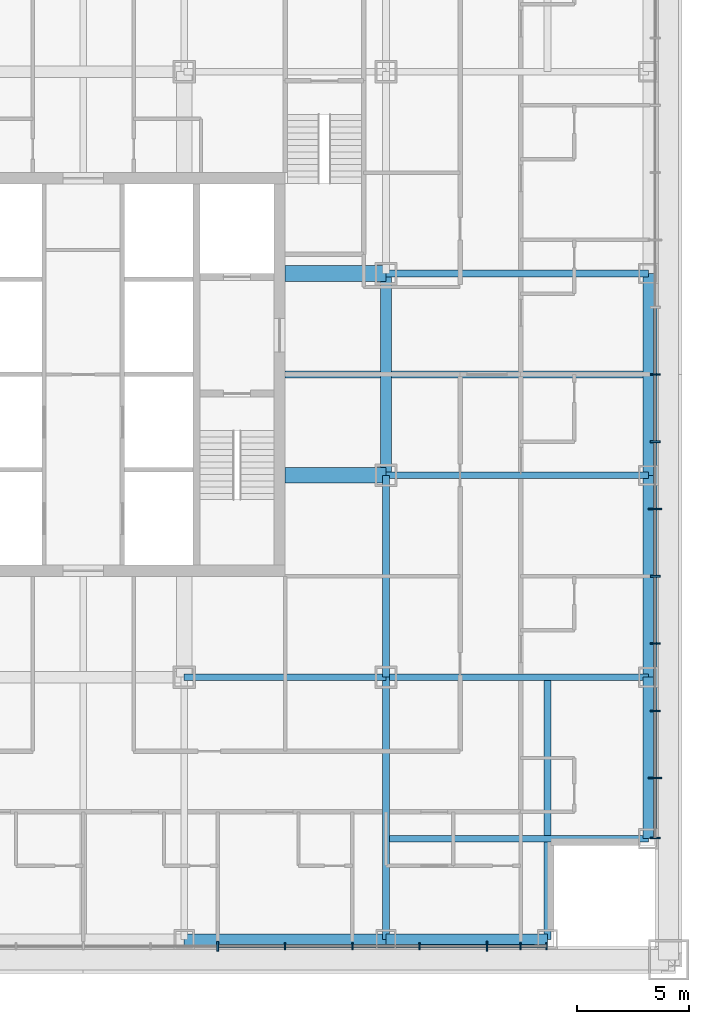
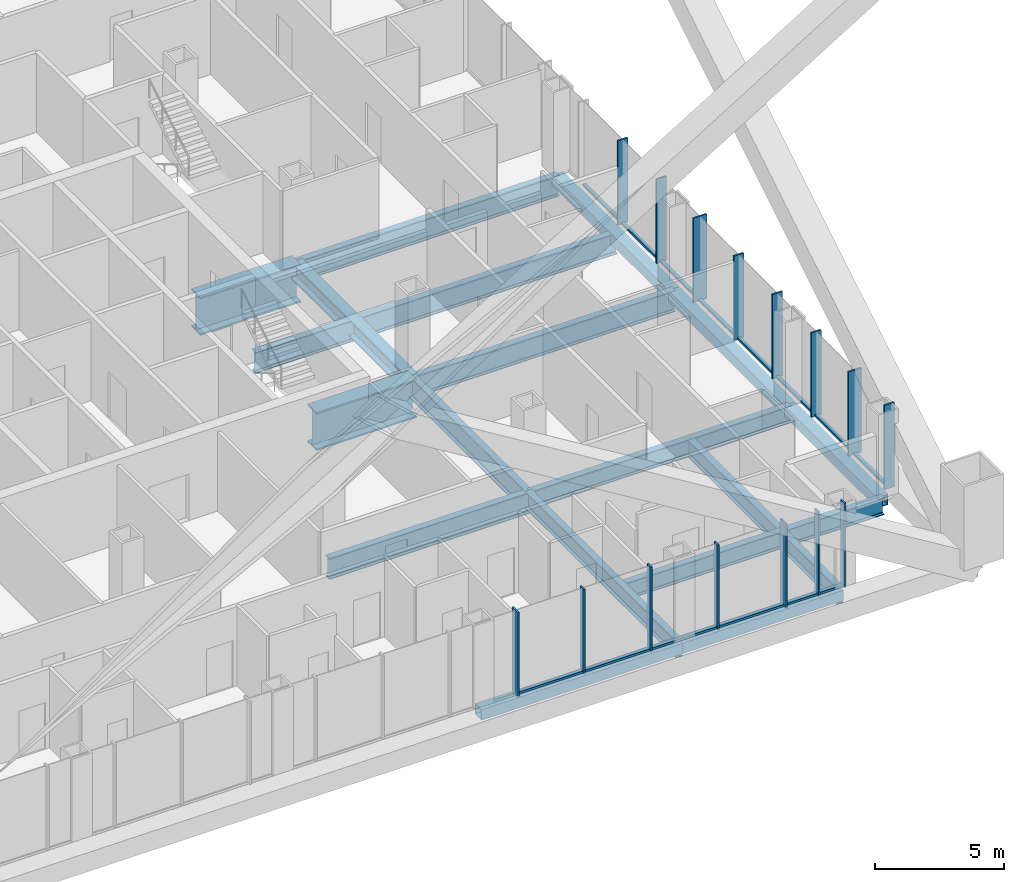
# One storey, part 6 of 21: 29 members, 17 beams, 2 elements without a shape of their own.
"""IFC4 building model written with IfcOpenShell, lengths in metres."""

from ifc_helpers import new_model, si_unit, direction, frame, origin, origin_2d, place, context, subcontext, project, spatial, rectangle, hollow_rectangle, i_section, extrude, material, layer, layer_set, material_profile, profile_set, type_object, element, aggregate, save


model = new_model("IFC4")

# Units and contexts
model_context = context("Model", 3, precision=1e-05, world=origin(), true_north=direction((0.0, 1.0)))
body_context = subcontext(model_context, "Body", "Model", "MODEL_VIEW")
ifc_project = project(units=[si_unit("LENGTHUNIT", "METRE"), si_unit("AREAUNIT", "SQUARE_METRE"), si_unit("VOLUMEUNIT", "CUBIC_METRE"), si_unit("PLANEANGLEUNIT", "RADIAN"), si_unit("MASSUNIT", "GRAM", prefix="KILO")], contexts=[model_context])

# Site, building, storey
site_placement = place(None, origin())
site = spatial("IfcSite", under=ifc_project, at=site_placement, CompositionType="ELEMENT")
building_placement = place(site_placement, origin())
building = spatial("IfcBuilding", under=site, at=building_placement, Name="Malebo Sky Hospital", CompositionType="ELEMENT")
storey_placement = place(building_placement, frame((0.0, 0.0, 31.0)))
storey = spatial("IfcBuildingStorey", under=building, at=storey_placement, Name="L06", CompositionType="ELEMENT", Elevation=31.0)

# Curtain wall, members
ifc_material_1 = material(Name="Anodised aluminium, natural silver", Category="aluminium")
ifc_layer_1 = layer(ifc_material_1, 0.25)
ifc_layer_set_1 = layer_set([ifc_layer_1], Name="WARD CURTAIN WALL NORTH AND SOUTH")
curtain_wall_type_1 = type_object("IfcCurtainWallType", Name="WARD CURTAIN WALL NORTH AND SOUTH", PredefinedType="NOTDEFINED", material=ifc_layer_set_1)
curtain_wall_1_placement = place(storey_placement, origin())
curtain_wall_1 = element("IfcCurtainWall", 1, at=curtain_wall_1_placement, inside=storey, type_object=curtain_wall_type_1, Name="NS curtain wall S", PredefinedType="NOTDEFINED")
ifc_material_profile_1 = material_profile(ifc_material_1, rectangle(XDim=0.14990234375, YDim=0.10009765625, at=origin_2d()), Name="ALUMINIUM TRANSOM 150x100")
ifc_profile_set_1 = profile_set([ifc_material_profile_1], Name="Anodised aluminium, natural silver")
member_type_1 = type_object("IfcMemberType", Name="ALUMINIUM TRANSOM 150x100", PredefinedType="USERDEFINED", material=ifc_profile_set_1)
member_1_placement = place(storey_placement, frame((80.625, 36.5, 0.050048828125), z_axis=(-1.0, 0.0, 0.0), x_axis=(0.0, -1.0, 0.0)))
member_1 = element("IfcMember", 2, at=member_1_placement, type_object=member_type_1, Name="Transom 1", ObjectType="TRANSOM", PredefinedType="USERDEFINED", context=body_context, shape_type="SweptSolid", body=[
    extrude(rectangle(XDim=0.14990234375, YDim=0.10009765625, at=origin_2d()), origin(), (0.0, 0.0, 1.0), 1.08740234375),
])
member_2_placement = place(storey_placement, frame((79.46240234375, 36.5, 0.050048828125), z_axis=(-1.0, 0.0, 0.0), x_axis=(0.0, -1.0, 0.0)))
member_2 = element("IfcMember", 3, at=member_2_placement, type_object=member_type_1, Name="Transom 2", ObjectType="TRANSOM", PredefinedType="USERDEFINED", context=body_context, shape_type="SweptSolid", body=[
    extrude(rectangle(XDim=0.14990234375, YDim=0.10009765625, at=origin_2d()), origin(), (0.0, 0.0, 1.0), 1.4248046875),
])
member_3_placement = place(storey_placement, frame((77.96240234375, 36.5, 0.050048828125), z_axis=(-1.0, 0.0, 0.0), x_axis=(0.0, -1.0, 0.0)))
member_3 = element("IfcMember", 4, at=member_3_placement, type_object=member_type_1, Name="Transom 3", ObjectType="TRANSOM", PredefinedType="USERDEFINED", context=body_context, shape_type="SweptSolid", body=[
    extrude(rectangle(XDim=0.14990234375, YDim=0.10009765625, at=origin_2d()), origin(), (0.0, 0.0, 1.0), 2.9248046875),
])
member_4_placement = place(storey_placement, frame((74.96240234375, 36.5, 0.050048828125), z_axis=(-1.0, 0.0, 0.0), x_axis=(0.0, -1.0, 0.0)))
member_4 = element("IfcMember", 5, at=member_4_placement, type_object=member_type_1, Name="Transom 4", ObjectType="TRANSOM", PredefinedType="USERDEFINED", context=body_context, shape_type="SweptSolid", body=[
    extrude(rectangle(XDim=0.14990234375, YDim=0.10009765625, at=origin_2d()), origin(), (0.0, 0.0, 1.0), 2.9248046875),
])
member_5_placement = place(storey_placement, frame((71.96240234375, 36.5, 0.050048828125), z_axis=(-1.0, 0.0, 0.0), x_axis=(0.0, -1.0, 0.0)))
member_5 = element("IfcMember", 6, at=member_5_placement, type_object=member_type_1, Name="Transom 5", ObjectType="TRANSOM", PredefinedType="USERDEFINED", context=body_context, shape_type="SweptSolid", body=[
    extrude(rectangle(XDim=0.14990234375, YDim=0.10009765625, at=origin_2d()), origin(), (0.0, 0.0, 1.0), 2.9248046875),
])
member_6_placement = place(storey_placement, frame((68.96240234375, 36.5, 0.050048828125), z_axis=(-1.0, 0.0, 0.0), x_axis=(0.0, -1.0, 0.0)))
member_6 = element("IfcMember", 7, at=member_6_placement, type_object=member_type_1, Name="Transom 6", ObjectType="TRANSOM", PredefinedType="USERDEFINED", context=body_context, shape_type="SweptSolid", body=[
    extrude(rectangle(XDim=0.14990234375, YDim=0.10009765625, at=origin_2d()), origin(), (0.0, 0.0, 1.0), 2.9248046875),
])

ifc_layer_2 = layer(ifc_material_1, 0.25)
ifc_layer_set_2 = layer_set([ifc_layer_2], Name="WARD CURTAIN WALL EAST AND WEST")
curtain_wall_type_2 = type_object("IfcCurtainWallType", Name="WARD CURTAIN WALL EAST AND WEST", PredefinedType="NOTDEFINED", material=ifc_layer_set_2)
curtain_wall_2_placement = place(storey_placement, origin())
curtain_wall_2 = element("IfcCurtainWall", 8, at=curtain_wall_2_placement, inside=storey, type_object=curtain_wall_type_2, Name="EW curtain wall E", PredefinedType="NOTDEFINED")
member_7_placement = place(storey_placement, frame((85.5, 64.96240234375, 0.050048828125), z_axis=(0.0, -1.0, 0.0), x_axis=(1.0, 0.0, 0.0)))
member_7 = element("IfcMember", 9, at=member_7_placement, type_object=member_type_1, Name="Transom 8", ObjectType="TRANSOM", PredefinedType="USERDEFINED", context=body_context, shape_type="SweptSolid", body=[
    extrude(rectangle(XDim=0.14990234375, YDim=0.10009765625, at=origin_2d()), origin(), (0.0, 0.0, 1.0), 2.9248046875),
])
member_8_placement = place(storey_placement, frame((85.5, 61.96240234375, 0.050048828125), z_axis=(0.0, -1.0, 0.0), x_axis=(1.0, 0.0, 0.0)))
member_8 = element("IfcMember", 10, at=member_8_placement, type_object=member_type_1, Name="Transom 9", ObjectType="TRANSOM", PredefinedType="USERDEFINED", context=body_context, shape_type="SweptSolid", body=[
    extrude(rectangle(XDim=0.14990234375, YDim=0.10009765625, at=origin_2d()), origin(), (0.0, 0.0, 1.0), 2.9248046875),
])
member_9_placement = place(storey_placement, frame((85.5, 58.96240234375, 0.050048828125), z_axis=(0.0, -1.0, 0.0), x_axis=(1.0, 0.0, 0.0)))
member_9 = element("IfcMember", 11, at=member_9_placement, type_object=member_type_1, Name="Transom 10", ObjectType="TRANSOM", PredefinedType="USERDEFINED", context=body_context, shape_type="SweptSolid", body=[
    extrude(rectangle(XDim=0.14990234375, YDim=0.10009765625, at=origin_2d()), origin(), (0.0, 0.0, 1.0), 2.9248046875),
])
member_10_placement = place(storey_placement, frame((85.5, 55.96240234375, 0.050048828125), z_axis=(0.0, -1.0, 0.0), x_axis=(1.0, 0.0, 0.0)))
member_10 = element("IfcMember", 12, at=member_10_placement, type_object=member_type_1, Name="Transom 11", ObjectType="TRANSOM", PredefinedType="USERDEFINED", context=body_context, shape_type="SweptSolid", body=[
    extrude(rectangle(XDim=0.14990234375, YDim=0.10009765625, at=origin_2d()), origin(), (0.0, 0.0, 1.0), 2.9248046875),
])
member_11_placement = place(storey_placement, frame((85.5, 52.96240234375, 0.050048828125), z_axis=(0.0, -1.0, 0.0), x_axis=(1.0, 0.0, 0.0)))
member_11 = element("IfcMember", 13, at=member_11_placement, type_object=member_type_1, Name="Transom 12", ObjectType="TRANSOM", PredefinedType="USERDEFINED", context=body_context, shape_type="SweptSolid", body=[
    extrude(rectangle(XDim=0.14990234375, YDim=0.10009765625, at=origin_2d()), origin(), (0.0, 0.0, 1.0), 2.9248046875),
])
member_12_placement = place(storey_placement, frame((85.5, 49.96240234375, 0.050048828125), z_axis=(0.0, -1.0, 0.0), x_axis=(1.0, 0.0, 0.0)))
member_12 = element("IfcMember", 14, at=member_12_placement, type_object=member_type_1, Name="Transom 13", ObjectType="TRANSOM", PredefinedType="USERDEFINED", context=body_context, shape_type="SweptSolid", body=[
    extrude(rectangle(XDim=0.14990234375, YDim=0.10009765625, at=origin_2d()), origin(), (0.0, 0.0, 1.0), 2.9248046875),
])
member_13_placement = place(storey_placement, frame((85.5, 46.96240234375, 0.050048828125), z_axis=(0.0, -1.0, 0.0), x_axis=(1.0, 0.0, 0.0)))
member_13 = element("IfcMember", 15, at=member_13_placement, type_object=member_type_1, Name="Transom 14", ObjectType="TRANSOM", PredefinedType="USERDEFINED", context=body_context, shape_type="SweptSolid", body=[
    extrude(rectangle(XDim=0.14990234375, YDim=0.10009765625, at=origin_2d()), origin(), (0.0, 0.0, 1.0), 2.9248046875),
])
member_14_placement = place(storey_placement, frame((85.5, 43.96240234375, 0.050048828125), z_axis=(0.0, -1.0, 0.0), x_axis=(1.0, 0.0, 0.0)))
member_14 = element("IfcMember", 16, at=member_14_placement, type_object=member_type_1, Name="Transom 15", ObjectType="TRANSOM", PredefinedType="USERDEFINED", context=body_context, shape_type="SweptSolid", body=[
    extrude(rectangle(XDim=0.14990234375, YDim=0.10009765625, at=origin_2d()), origin(), (0.0, 0.0, 1.0), 2.58740234375),
])

# Member
ifc_material_profile_2 = material_profile(ifc_material_1, rectangle(XDim=0.074951171875, YDim=0.300048828125, at=origin_2d()), Name="CW1 ALUMINIUM FIN MULLION 75x300")
ifc_profile_set_2 = profile_set([ifc_material_profile_2], Name="Anodised aluminium, natural silver")
member_type_2 = type_object("IfcMemberType", Name="CW1 ALUMINIUM FIN MULLION 75x300", PredefinedType="MULLION", material=ifc_profile_set_2)
member_15_placement = place(storey_placement, frame((80.66259765625, 36.5, 0.0), z_axis=(0.0, 0.0, 1.0), x_axis=(-1.0, 0.0, 0.0)))
member_15 = element("IfcMember", 17, at=member_15_placement, type_object=member_type_2, Name="Fin mullion 1", PredefinedType="MULLION", context=body_context, shape_type="SweptSolid", body=[
    extrude(rectangle(XDim=0.074951171875, YDim=0.300048828125, at=origin_2d()), origin(), (0.0, 0.0, 1.0), 4.0),
])

member_16_placement = place(storey_placement, frame((79.5, 36.5, 0.0), z_axis=(0.0, 0.0, 1.0), x_axis=(-1.0, 0.0, 0.0)))
member_16 = element("IfcMember", 18, at=member_16_placement, type_object=member_type_2, Name="Fin mullion 2", PredefinedType="MULLION", context=body_context, shape_type="SweptSolid", body=[
    extrude(rectangle(XDim=0.074951171875, YDim=0.300048828125, at=origin_2d()), origin(), (0.0, 0.0, 1.0), 4.0),
])

member_17_placement = place(storey_placement, frame((75.0, 36.5, 0.0), z_axis=(0.0, 0.0, 1.0), x_axis=(-1.0, 0.0, 0.0)))
member_17 = element("IfcMember", 19, at=member_17_placement, type_object=member_type_2, Name="Fin mullion 4", PredefinedType="MULLION", context=body_context, shape_type="SweptSolid", body=[
    extrude(rectangle(XDim=0.074951171875, YDim=0.300048828125, at=origin_2d()), origin(), (0.0, 0.0, 1.0), 4.0),
])

member_18_placement = place(storey_placement, frame((72.0, 36.5, 0.0), z_axis=(0.0, 0.0, 1.0), x_axis=(-1.0, 0.0, 0.0)))
member_18 = element("IfcMember", 20, at=member_18_placement, type_object=member_type_2, Name="Fin mullion 5", PredefinedType="MULLION", context=body_context, shape_type="SweptSolid", body=[
    extrude(rectangle(XDim=0.074951171875, YDim=0.300048828125, at=origin_2d()), origin(), (0.0, 0.0, 1.0), 4.0),
])

member_19_placement = place(storey_placement, frame((69.0, 36.5, 0.0), z_axis=(0.0, 0.0, 1.0), x_axis=(-1.0, 0.0, 0.0)))
member_19 = element("IfcMember", 21, at=member_19_placement, type_object=member_type_2, Name="Fin mullion 6", PredefinedType="MULLION", context=body_context, shape_type="SweptSolid", body=[
    extrude(rectangle(XDim=0.074951171875, YDim=0.300048828125, at=origin_2d()), origin(), (0.0, 0.0, 1.0), 4.0),
])

ifc_material_profile_3 = material_profile(ifc_material_1, rectangle(XDim=0.074951171875, YDim=0.449951171875, at=origin_2d()), Name="CW1 ALUMINIUM FIN MULLION 75x450")
ifc_profile_set_3 = profile_set([ifc_material_profile_3], Name="Anodised aluminium, natural silver")
member_type_3 = type_object("IfcMemberType", Name="CW1 ALUMINIUM FIN MULLION 75x450", PredefinedType="MULLION", material=ifc_profile_set_3)
member_20_placement = place(storey_placement, frame((78.0, 36.5, 0.0), z_axis=(0.0, 0.0, 1.0), x_axis=(-1.0, 0.0, 0.0)))
member_20 = element("IfcMember", 22, at=member_20_placement, type_object=member_type_3, Name="Fin mullion 3", PredefinedType="MULLION", context=body_context, shape_type="SweptSolid", body=[
    extrude(rectangle(XDim=0.074951171875, YDim=0.449951171875, at=origin_2d()), origin(), (0.0, 0.0, 1.0), 4.0),
])

member_21_placement = place(storey_placement, frame((66.0, 36.5, 0.0), z_axis=(0.0, 0.0, 1.0), x_axis=(-1.0, 0.0, 0.0)))
member_21 = element("IfcMember", 23, at=member_21_placement, type_object=member_type_3, Name="Fin mullion 7", PredefinedType="MULLION", context=body_context, shape_type="SweptSolid", body=[
    extrude(rectangle(XDim=0.074951171875, YDim=0.449951171875, at=origin_2d()), origin(), (0.0, 0.0, 1.0), 4.0),
])

aggregate(curtain_wall_1, [member_15, member_16, member_20, member_17, member_18, member_19, member_21, member_1, member_2, member_3, member_4, member_5, member_6])

ifc_material_profile_4 = material_profile(ifc_material_1, rectangle(XDim=0.074951171875, YDim=0.449951171875, at=origin_2d()), Name="CW2 ALUMINIUM FIN MULLION 75x450")
ifc_profile_set_4 = profile_set([ifc_material_profile_4], Name="Anodised aluminium, natural silver")
member_type_4 = type_object("IfcMemberType", Name="CW2 ALUMINIUM FIN MULLION 75x450", PredefinedType="MULLION", material=ifc_profile_set_4)
member_22_placement = place(storey_placement, frame((85.5, 62.0, 0.0), z_axis=(0.0, 0.0, 1.0), x_axis=(0.0, -1.0, 0.0)))
member_22 = element("IfcMember", 24, at=member_22_placement, type_object=member_type_4, Name="Fin mullion 9", PredefinedType="MULLION", context=body_context, shape_type="SweptSolid", body=[
    extrude(rectangle(XDim=0.074951171875, YDim=0.449951171875, at=origin_2d()), origin(), (0.0, 0.0, 1.0), 4.0),
])

member_23_placement = place(storey_placement, frame((85.5, 59.0, 0.0), z_axis=(0.0, 0.0, 1.0), x_axis=(0.0, -1.0, 0.0)))
member_23 = element("IfcMember", 25, at=member_23_placement, type_object=member_type_4, Name="Fin mullion 10", PredefinedType="MULLION", context=body_context, shape_type="SweptSolid", body=[
    extrude(rectangle(XDim=0.074951171875, YDim=0.449951171875, at=origin_2d()), origin(), (0.0, 0.0, 1.0), 4.0),
])

member_24_placement = place(storey_placement, frame((85.5, 53.0, 0.0), z_axis=(0.0, 0.0, 1.0), x_axis=(0.0, -1.0, 0.0)))
member_24 = element("IfcMember", 26, at=member_24_placement, type_object=member_type_4, Name="Fin mullion 12", PredefinedType="MULLION", context=body_context, shape_type="SweptSolid", body=[
    extrude(rectangle(XDim=0.074951171875, YDim=0.449951171875, at=origin_2d()), origin(), (0.0, 0.0, 1.0), 4.0),
])

member_25_placement = place(storey_placement, frame((85.5, 50.0, 0.0), z_axis=(0.0, 0.0, 1.0), x_axis=(0.0, -1.0, 0.0)))
member_25 = element("IfcMember", 27, at=member_25_placement, type_object=member_type_4, Name="Fin mullion 13", PredefinedType="MULLION", context=body_context, shape_type="SweptSolid", body=[
    extrude(rectangle(XDim=0.074951171875, YDim=0.449951171875, at=origin_2d()), origin(), (0.0, 0.0, 1.0), 4.0),
])

member_26_placement = place(storey_placement, frame((85.5, 47.0, 0.0), z_axis=(0.0, 0.0, 1.0), x_axis=(0.0, -1.0, 0.0)))
member_26 = element("IfcMember", 28, at=member_26_placement, type_object=member_type_4, Name="Fin mullion 14", PredefinedType="MULLION", context=body_context, shape_type="SweptSolid", body=[
    extrude(rectangle(XDim=0.074951171875, YDim=0.449951171875, at=origin_2d()), origin(), (0.0, 0.0, 1.0), 4.0),
])

member_27_placement = place(storey_placement, frame((85.5, 41.33740234375, 0.0), z_axis=(0.0, 0.0, 1.0), x_axis=(0.0, -1.0, 0.0)))
member_27 = element("IfcMember", 29, at=member_27_placement, type_object=member_type_4, Name="Fin mullion 16", PredefinedType="MULLION", context=body_context, shape_type="SweptSolid", body=[
    extrude(rectangle(XDim=0.074951171875, YDim=0.449951171875, at=origin_2d()), origin(), (0.0, 0.0, 1.0), 4.0),
])

ifc_material_profile_5 = material_profile(ifc_material_1, rectangle(XDim=0.074951171875, YDim=0.60009765625, at=origin_2d()), Name="CW2 ALUMINIUM FIN MULLION 75x600")
ifc_profile_set_5 = profile_set([ifc_material_profile_5], Name="Anodised aluminium, natural silver")
member_type_5 = type_object("IfcMemberType", Name="CW2 ALUMINIUM FIN MULLION 75x600", PredefinedType="MULLION", material=ifc_profile_set_5)
member_28_placement = place(storey_placement, frame((85.5, 56.0, 0.0), z_axis=(0.0, 0.0, 1.0), x_axis=(0.0, -1.0, 0.0)))
member_28 = element("IfcMember", 30, at=member_28_placement, type_object=member_type_5, Name="Fin mullion 11", PredefinedType="MULLION", context=body_context, shape_type="SweptSolid", body=[
    extrude(rectangle(XDim=0.074951171875, YDim=0.60009765625, at=origin_2d()), origin(), (0.0, 0.0, 1.0), 4.0),
])

member_29_placement = place(storey_placement, frame((85.5, 44.0, 0.0), z_axis=(0.0, 0.0, 1.0), x_axis=(0.0, -1.0, 0.0)))
member_29 = element("IfcMember", 31, at=member_29_placement, type_object=member_type_5, Name="Fin mullion 15", PredefinedType="MULLION", context=body_context, shape_type="SweptSolid", body=[
    extrude(rectangle(XDim=0.074951171875, YDim=0.60009765625, at=origin_2d()), origin(), (0.0, 0.0, 1.0), 4.0),
])

aggregate(curtain_wall_2, [member_22, member_23, member_28, member_24, member_25, member_26, member_29, member_27, member_7, member_8, member_9, member_10, member_11, member_12, member_13, member_14])

# Beams
ifc_material_2 = material(Name="Steel S460", Category="steel")
ifc_material_profile_6 = material_profile(ifc_material_2, hollow_rectangle(XDim=0.5, YDim=0.5, WallThickness=0.030029296875, at=origin_2d()), Name="BOX 500x500x30")
ifc_profile_set_6 = profile_set([ifc_material_profile_6], Name="Steel S460")
beam_type_1 = type_object("IfcBeamType", Name="EDGE BEAM BOX 500x500x30", PredefinedType="BEAM", material=ifc_profile_set_6)
beam_1_placement = place(storey_placement, frame((85.199951171875, 41.300048828125, -0.5), z_axis=(0.0, 1.0, 0.0), x_axis=(-1.0, 0.0, 0.0)))
element("IfcBeam", 32, at=beam_1_placement, inside=storey, type_object=beam_type_1, Name="Beam 029 L06", PredefinedType="BEAM", context=body_context, shape_type="SweptSolid", body=[
    extrude(hollow_rectangle(XDim=0.5, YDim=0.5, WallThickness=0.030029296875, at=origin_2d()), origin(), (0.0, 0.0, 1.0), 7.199951171875),
])
for number, where, z_axis, x_axis, name in (
    (33, (85.199951171875, 48.5, -0.5), (0.0, 1.0, 0.0), (-1.0, 0.0, 0.0), "Beam 030 L06"),
    (34, (85.199951171875, 57.5, -0.5), (0.0, 1.0, 0.0), (-1.0, 0.0, 0.0), "Beam 031 L06"),
    (35, (64.5, 36.800048828125, -0.5), (1.0, 0.0, 0.0), (0.0, 1.0, 0.0), "Beam 037 L06"),
):
    element("IfcBeam", number, at=place(storey_placement, frame(where, z_axis=z_axis, x_axis=x_axis)), inside=storey, type_object=beam_type_1, Name=name, PredefinedType="BEAM", context=body_context, shape_type="SweptSolid", body=[
        extrude(hollow_rectangle(XDim=0.5, YDim=0.5, WallThickness=0.030029296875, at=origin_2d()), origin(), (0.0, 0.0, 1.0), 9.0),
    ])
beam_2_placement = place(storey_placement, frame((73.5, 36.800048828125, -0.5), z_axis=(1.0, 0.0, 0.0), x_axis=(0.0, 1.0, 0.0)))
element("IfcBeam", 36, at=beam_2_placement, inside=storey, type_object=beam_type_1, Name="Beam 038 L06", PredefinedType="BEAM", context=body_context, shape_type="SweptSolid", body=[
    extrude(hollow_rectangle(XDim=0.5, YDim=0.5, WallThickness=0.030029296875, at=origin_2d()), origin(), (0.0, 0.0, 1.0), 7.199951171875),
])
ifc_material_3 = material(Name="Steel S355", Category="steel")
ifc_material_profile_7 = material_profile(ifc_material_3, i_section(OverallWidth=0.300048828125, OverallDepth=1.0, WebThickness=0.01904296875, FlangeThickness=0.035888671875, FilletRadius=0.030029296875, at=origin_2d()), Name="HEB 1000")
ifc_profile_set_7 = profile_set([ifc_material_profile_7], Name="Steel S355")
beam_type_2 = type_object("IfcBeamType", Name="FLOOR BEAM HEB 1000", PredefinedType="BEAM", material=ifc_profile_set_7)
for number, where, z_axis, x_axis, name in (
    (37, (73.5, 48.5, -0.75), (0.0, 1.0, 0.0), (-1.0, 0.0, 0.0), "Beam 023 L06"),
    (38, (64.5, 48.5, -0.75), (1.0, 0.0, 0.0), (0.0, 1.0, 0.0), "Beam 044 L06"),
):
    element("IfcBeam", number, at=place(storey_placement, frame(where, z_axis=z_axis, x_axis=x_axis)), inside=storey, type_object=beam_type_2, Name=name, PredefinedType="BEAM", context=body_context, shape_type="SweptSolid", body=[
        extrude(i_section(OverallWidth=0.300048828125, OverallDepth=1.0, WebThickness=0.01904296875, FlangeThickness=0.035888671875, FilletRadius=0.030029296875, at=origin_2d()), origin(), (0.0, 0.0, 1.0), 9.0),
    ])
beam_3_placement = place(storey_placement, frame((73.5, 57.5, -0.75), z_axis=(1.0, 0.0, 0.0), x_axis=(0.0, 1.0, 0.0)))
element("IfcBeam", 39, at=beam_3_placement, inside=storey, type_object=beam_type_2, Name="Beam 049 L06", PredefinedType="BEAM", context=body_context, shape_type="SweptSolid", body=[
    extrude(i_section(OverallWidth=0.300048828125, OverallDepth=1.0, WebThickness=0.01904296875, FlangeThickness=0.035888671875, FilletRadius=0.030029296875, at=origin_2d()), origin(), (0.0, 0.0, 1.0), 11.699951171875),
])
beam_4_placement = place(storey_placement, frame((69.0, 62.0, -0.75), z_axis=(1.0, 0.0, 0.0), x_axis=(0.0, 1.0, 0.0)))
element("IfcBeam", 40, at=beam_4_placement, inside=storey, type_object=beam_type_2, Name="Beam 051 L06", PredefinedType="BEAM", context=body_context, shape_type="SweptSolid", body=[
    extrude(i_section(OverallWidth=0.300048828125, OverallDepth=1.0, WebThickness=0.01904296875, FlangeThickness=0.035888671875, FilletRadius=0.030029296875, at=origin_2d()), origin(), (0.0, 0.0, 1.0), 16.199951171875),
])
beam_5_placement = place(storey_placement, frame((73.5, 66.5, -0.75), z_axis=(1.0, 0.0, 0.0), x_axis=(0.0, 1.0, 0.0)))
element("IfcBeam", 41, at=beam_5_placement, inside=storey, type_object=beam_type_2, Name="Beam 055 L06", PredefinedType="BEAM", context=body_context, shape_type="SweptSolid", body=[
    extrude(i_section(OverallWidth=0.300048828125, OverallDepth=1.0, WebThickness=0.01904296875, FlangeThickness=0.035888671875, FilletRadius=0.030029296875, at=origin_2d()), origin(), (0.0, 0.0, 1.0), 11.699951171875),
])
ifc_material_profile_8 = material_profile(ifc_material_3, i_section(OverallWidth=0.300048828125, OverallDepth=0.800048828125, WebThickness=0.017578125, FlangeThickness=0.032958984375, FilletRadius=0.030029296875, at=origin_2d()), Name="HEB 800")
ifc_profile_set_8 = profile_set([ifc_material_profile_8], Name="Steel S355")
beam_type_3 = type_object("IfcBeamType", Name="FLOOR BEAM HEB 800", PredefinedType="BEAM", material=ifc_profile_set_8)
for number, where, z_axis, x_axis, name in (
    (42, (80.699951171875, 36.800048828125, -0.64990234375), (0.0, 1.0, 0.0), (-1.0, 0.0, 0.0), "Beam 027 L06"),
    (43, (73.5, 41.300048828125, -0.64990234375), (1.0, 0.0, 0.0), (0.0, 1.0, 0.0), "Beam 040 L06"),
):
    element("IfcBeam", number, at=place(storey_placement, frame(where, z_axis=z_axis, x_axis=x_axis)), inside=storey, type_object=beam_type_3, Name=name, PredefinedType="BEAM", context=body_context, shape_type="SweptSolid", body=[
        extrude(i_section(OverallWidth=0.300048828125, OverallDepth=0.800048828125, WebThickness=0.017578125, FlangeThickness=0.032958984375, FilletRadius=0.030029296875, at=origin_2d()), origin(), (0.0, 0.0, 1.0), 11.699951171875),
    ])
ifc_material_profile_9 = material_profile(ifc_material_3, i_section(OverallWidth=0.699951171875, OverallDepth=1.800048828125, WebThickness=0.034912109375, FlangeThickness=0.070068359375, at=origin_2d()), Name="PG 1800x700x35x70")
ifc_profile_set_9 = profile_set([ifc_material_profile_9], Name="Steel S355")
beam_type_4 = type_object("IfcBeamType", Name="FLOOR BEAM PG 1800x700x35x70", PredefinedType="BEAM", material=ifc_profile_set_9)
for number, where, z_axis, x_axis, name in (
    (44, (69.0, 57.5, -1.14990234375), (1.0, 0.0, 0.0), (0.0, 1.0, 0.0), "Beam 048 L06"),
    (45, (69.0, 66.5, -1.14990234375), (1.0, 0.0, 0.0), (0.0, 1.0, 0.0), "Beam 054 L06"),
):
    element("IfcBeam", number, at=place(storey_placement, frame(where, z_axis=z_axis, x_axis=x_axis)), inside=storey, type_object=beam_type_4, Name=name, PredefinedType="BEAM", context=body_context, shape_type="SweptSolid", body=[
        extrude(i_section(OverallWidth=0.699951171875, OverallDepth=1.800048828125, WebThickness=0.034912109375, FlangeThickness=0.070068359375, at=origin_2d()), origin(), (0.0, 0.0, 1.0), 4.5),
    ])
ifc_material_profile_10 = material_profile(ifc_material_3, i_section(OverallWidth=0.300048828125, OverallDepth=0.800048828125, WebThickness=0.017578125, FlangeThickness=0.032958984375, FilletRadius=0.030029296875, at=origin_2d()), Name="HEB 800")
ifc_profile_set_10 = profile_set([ifc_material_profile_10], Name="Steel S355")
beam_type_5 = type_object("IfcBeamType", Name="FLOOR GIRDER HEB 800", PredefinedType="BEAM", material=ifc_profile_set_10)
for number, where, z_axis, x_axis, name in (
    (46, (73.5, 36.800048828125, -0.64990234375), (0.0, 1.0, 0.0), (-1.0, 0.0, 0.0), "Beam 022 L06"),
    (47, (73.5, 48.5, -0.64990234375), (1.0, 0.0, 0.0), (0.0, 1.0, 0.0), "Beam 045 L06"),
):
    element("IfcBeam", number, at=place(storey_placement, frame(where, z_axis=z_axis, x_axis=x_axis)), inside=storey, type_object=beam_type_5, Name=name, PredefinedType="BEAM", context=body_context, shape_type="SweptSolid", body=[
        extrude(i_section(OverallWidth=0.300048828125, OverallDepth=0.800048828125, WebThickness=0.017578125, FlangeThickness=0.032958984375, FilletRadius=0.030029296875, at=origin_2d()), origin(), (0.0, 0.0, 1.0), 11.699951171875),
    ])
ifc_material_profile_11 = material_profile(ifc_material_3, i_section(OverallWidth=0.5, OverallDepth=0.800048828125, WebThickness=0.030029296875, FlangeThickness=0.050048828125, at=origin_2d()), Name="PG 800x500x30x50")
ifc_profile_set_11 = profile_set([ifc_material_profile_11], Name="Steel S355")
beam_type_6 = type_object("IfcBeamType", Name="RING GIRDER PG 800x500x30x50", PredefinedType="BEAM", material=ifc_profile_set_11)
beam_6_placement = place(storey_placement, frame((73.5, 57.5, -0.64990234375), z_axis=(0.0, 1.0, 0.0), x_axis=(-1.0, 0.0, 0.0)))
element("IfcBeam", 48, at=beam_6_placement, inside=storey, type_object=beam_type_6, Name="Beam 024 L06", PredefinedType="BEAM", context=body_context, shape_type="SweptSolid", body=[
    extrude(i_section(OverallWidth=0.5, OverallDepth=0.800048828125, WebThickness=0.030029296875, FlangeThickness=0.050048828125, at=origin_2d()), origin(), (0.0, 0.0, 1.0), 9.0),
])

save(model, "model.ifc")
